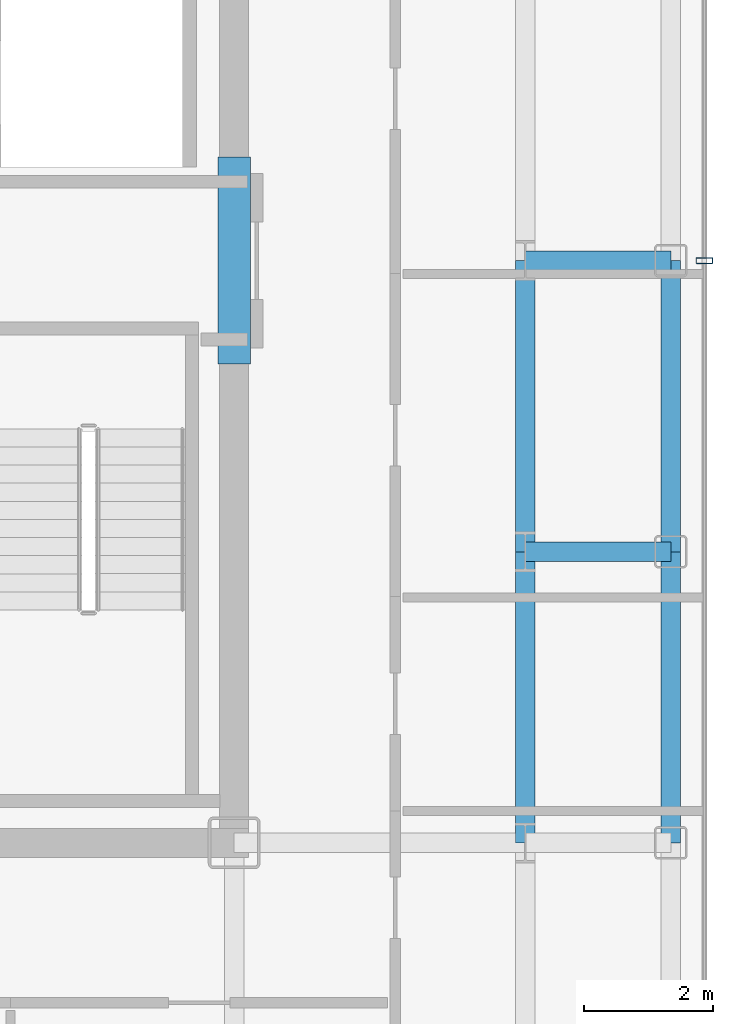
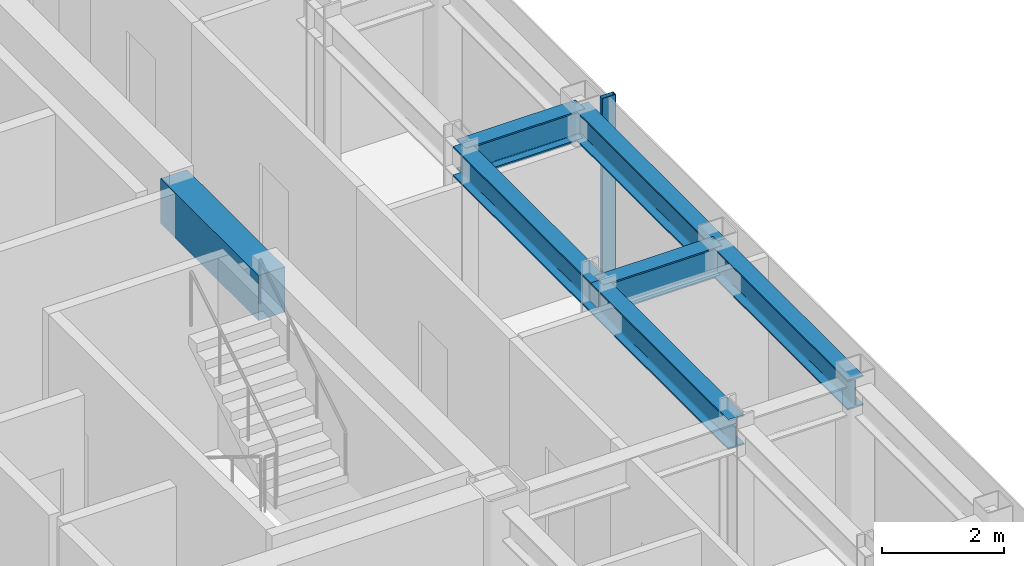
# One storey, part 7 of 18: 7 beams, 1 member, 1 element without a shape of its own.
"""IFC4 building model written with IfcOpenShell, lengths in metres."""

from ifc_helpers import new_model, si_unit, direction, frame, origin, origin_2d, place, context, subcontext, project, spatial, rectangle, hollow_rectangle, i_section, extrude, source, transform, mapped, material, layer, layer_set, material_profile, profile_set, type_object, element, aggregate, save


model = new_model("IFC4")

# Units and contexts
model_context = context("Model", 3, precision=1e-05, world=origin(), true_north=direction((0.0, 1.0)))
body_context = subcontext(model_context, "Body", "Model", "MODEL_VIEW")
ifc_project = project(units=[si_unit("LENGTHUNIT", "METRE"), si_unit("AREAUNIT", "SQUARE_METRE"), si_unit("VOLUMEUNIT", "CUBIC_METRE"), si_unit("PLANEANGLEUNIT", "RADIAN"), si_unit("MASSUNIT", "GRAM", prefix="KILO")], contexts=[model_context])

# Site, building, storey
site_placement = place(None, origin())
site = spatial("IfcSite", under=ifc_project, at=site_placement, CompositionType="ELEMENT")
building_placement = place(site_placement, origin())
building = spatial("IfcBuilding", under=site, at=building_placement, Name="Nefas-Gora Pilgrimage Tower", CompositionType="ELEMENT")
storey_placement = place(building_placement, frame((0.0, 0.0, 291.199951171875)))
storey = spatial("IfcBuildingStorey", under=building, at=storey_placement, Name="L73", CompositionType="ELEMENT", Elevation=291.199951171875)

# Beams
ifc_material_1 = material(Name="Concrete C50/60", Category="concrete")
ifc_material_profile_1 = material_profile(ifc_material_1, rectangle(XDim=0.5, YDim=0.89990234375, at=origin_2d()), Name="RC 500x900")
ifc_profile_set_1 = profile_set([ifc_material_profile_1], Name="Concrete C50/60")
beam_type_1 = type_object("IfcBeamType", Name="BM-LIN-RC900", PredefinedType="LINTEL", material=ifc_profile_set_1)
shared_shape_1 = source(origin(), body_context, "Body", "SweptSolid", [
    extrude(rectangle(XDim=0.5, YDim=0.89990234375, at=origin_2d()), origin(), (0.0, 0.0, 1.0), 3.2001953125),
])
beam_placement = place(storey_placement, frame((11.25, -1.60009765625, 3.10009765625), z_axis=(0.0, 1.0, 0.0), x_axis=(-1.0, 0.0, 0.0)))
element("IfcBeam", 1, at=beam_placement, inside=storey, type_object=beam_type_1, Name="L73 Core Coupling Lintel Beam E", PredefinedType="LINTEL", context=body_context, shape_type="MappedRepresentation", body=[
    mapped(shared_shape_1, transform((0.0, 0.0, 0.0), x_axis=(1.0, 0.0, 0.0), y_axis=(0.0, 1.0, 0.0), z_axis=(0.0, 0.0, 1.0), scale=1.0)),
])
ifc_material_2 = material(Name="Steel S355", Category="steel")
ifc_material_profile_2 = material_profile(ifc_material_2, i_section(OverallWidth=0.300048828125, OverallDepth=0.60009765625, WebThickness=0.015380859375, FlangeThickness=0.030029296875, FilletRadius=0.027099609375, at=origin_2d()), Name="HEB 600")
ifc_profile_set_2 = profile_set([ifc_material_profile_2], Name="Steel S355")
beam_type_2 = type_object("IfcBeamType", Name="BM-SPN-HEB450", PredefinedType="SPANDREL", material=ifc_profile_set_2)
shared_shape_2 = source(origin(), body_context, "Body", "SweptSolid", [
    extrude(i_section(OverallWidth=0.300048828125, OverallDepth=0.60009765625, WebThickness=0.015380859375, FlangeThickness=0.030029296875, FilletRadius=0.027099609375, at=origin_2d()), origin(), (0.0, 0.0, 1.0), 4.5),
])
for number, where, z_axis, x_axis, name in (
    (2, (18.0, -9.0, 3.25), (0.0, 1.0, 0.0), (-1.0, 0.0, 0.0), "L73 SP-03 beam"),
    (3, (18.0, -4.5, 3.25), (0.0, 1.0, 0.0), (-1.0, 0.0, 0.0), "L73 SP-03 beam"),
):
    element("IfcBeam", number, at=place(storey_placement, frame(where, z_axis=z_axis, x_axis=x_axis)), inside=storey, type_object=beam_type_2, Name=name, PredefinedType="SPANDREL", context=body_context, shape_type="MappedRepresentation", body=[
        mapped(shared_shape_2, transform((0.0, 0.0, 0.0), x_axis=(1.0, 0.0, 0.0), y_axis=(0.0, 1.0, 0.0), z_axis=(0.0, 0.0, 1.0), scale=1.0)),
    ])
ifc_material_profile_3 = material_profile(ifc_material_2, i_section(OverallWidth=0.300048828125, OverallDepth=0.60009765625, WebThickness=0.015380859375, FlangeThickness=0.030029296875, FilletRadius=0.027099609375, at=origin_2d()), Name="HEB 600")
ifc_profile_set_3 = profile_set([ifc_material_profile_3], Name="Steel S355")
beam_type_3 = type_object("IfcBeamType", Name="BM-GIR-HEB600", PredefinedType="BEAM", material=ifc_profile_set_3)
shared_shape_3 = source(origin(), body_context, "Body", "SweptSolid", [
    extrude(i_section(OverallWidth=0.300048828125, OverallDepth=0.60009765625, WebThickness=0.015380859375, FlangeThickness=0.030029296875, FilletRadius=0.027099609375, at=origin_2d()), origin(), (0.0, 0.0, 1.0), 4.5),
])
for number, where, z_axis, x_axis, name in (
    (4, (15.75, -9.0, 3.25), (0.0, 1.0, 0.0), (-1.0, 0.0, 0.0), "L73 G-04 beam"),
    (5, (15.75, -4.5, 3.25), (0.0, 1.0, 0.0), (-1.0, 0.0, 0.0), "L73 G-04 beam"),
):
    element("IfcBeam", number, at=place(storey_placement, frame(where, z_axis=z_axis, x_axis=x_axis)), inside=storey, type_object=beam_type_3, Name=name, PredefinedType="BEAM", context=body_context, shape_type="MappedRepresentation", body=[
        mapped(shared_shape_3, transform((0.0, 0.0, 0.0), x_axis=(1.0, 0.0, 0.0), y_axis=(0.0, 1.0, 0.0), z_axis=(0.0, 0.0, 1.0), scale=1.0)),
    ])
shared_shape_4 = source(origin(), body_context, "Body", "SweptSolid", [
    extrude(i_section(OverallWidth=0.300048828125, OverallDepth=0.60009765625, WebThickness=0.015380859375, FlangeThickness=0.030029296875, FilletRadius=0.027099609375, at=origin_2d()), origin(), (0.0, 0.0, 1.0), 2.25),
])
for number, where, z_axis, x_axis, name in (
    (6, (15.75, -4.5, 3.25), (1.0, 0.0, 0.0), (0.0, 1.0, 0.0), "L73 G-04 beam"),
    (7, (15.75, 0.0, 3.25), (1.0, 0.0, 0.0), (0.0, 1.0, 0.0), "L73 G-04 beam"),
):
    element("IfcBeam", number, at=place(storey_placement, frame(where, z_axis=z_axis, x_axis=x_axis)), inside=storey, type_object=beam_type_3, Name=name, PredefinedType="BEAM", context=body_context, shape_type="MappedRepresentation", body=[
        mapped(shared_shape_4, transform((0.0, 0.0, 0.0), x_axis=(1.0, 0.0, 0.0), y_axis=(0.0, 1.0, 0.0), z_axis=(0.0, 0.0, 1.0), scale=1.0)),
    ])

# Curtain wall, member
ifc_material_3 = material(Name="Dark ceramic-fritted solar-control aluminium-glass curtain wall", Category="aluminium")
ifc_layer = layer(ifc_material_3, 0.219970703125)
ifc_layer_set = layer_set([ifc_layer], Name="Dark ceramic-fritted solar-control aluminium-glass curtain wall")
curtain_wall_type = type_object("IfcCurtainWallType", Name="CW-SYS-4", PredefinedType="NOTDEFINED", material=ifc_layer_set)
curtain_wall_placement = place(storey_placement, origin())
curtain_wall = element("IfcCurtainWall", 8, at=curtain_wall_placement, inside=storey, type_object=curtain_wall_type, Name="L73 Unitised Curtain Wall CW4", PredefinedType="NOTDEFINED")
ifc_material_4 = material(Name="Anodised architectural aluminium", Category="aluminium")
ifc_material_profile_4 = material_profile(ifc_material_4, hollow_rectangle(XDim=0.090087890625, YDim=0.260009765625, WallThickness=0.006103515625, InnerFilletRadius=0.006103515625, OuterFilletRadius=0.011962890625, at=origin_2d()), Name="ALU MULLION 90x260")
ifc_profile_set_4 = profile_set([ifc_material_profile_4], Name="Anodised architectural aluminium")
member_type = type_object("IfcMemberType", Name="CWM-MUL-4", PredefinedType="MULLION", material=ifc_profile_set_4)
shared_shape_5 = source(origin(), body_context, "Body", "SweptSolid", [
    extrude(hollow_rectangle(XDim=0.090087890625, YDim=0.260009765625, WallThickness=0.006103515625, InnerFilletRadius=0.006103515625, OuterFilletRadius=0.011962890625, at=origin_2d()), origin(), (0.0, 0.0, 1.0), 3.550048828125),
])
member_placement = place(storey_placement, frame((18.52001953125, 0.0, 0.0), z_axis=(0.0, 0.0, 1.0), x_axis=(0.0, 1.0, 0.0)))
member = element("IfcMember", 9, at=member_placement, type_object=member_type, Name="CW4 Mullion 2", PredefinedType="MULLION", context=body_context, shape_type="MappedRepresentation", body=[
    mapped(shared_shape_5, transform((0.0, 0.0, 0.0), x_axis=(1.0, 0.0, 0.0), y_axis=(0.0, 1.0, 0.0), z_axis=(0.0, 0.0, 1.0), scale=1.0)),
])
aggregate(curtain_wall, [member])

save(model, "model.ifc")
